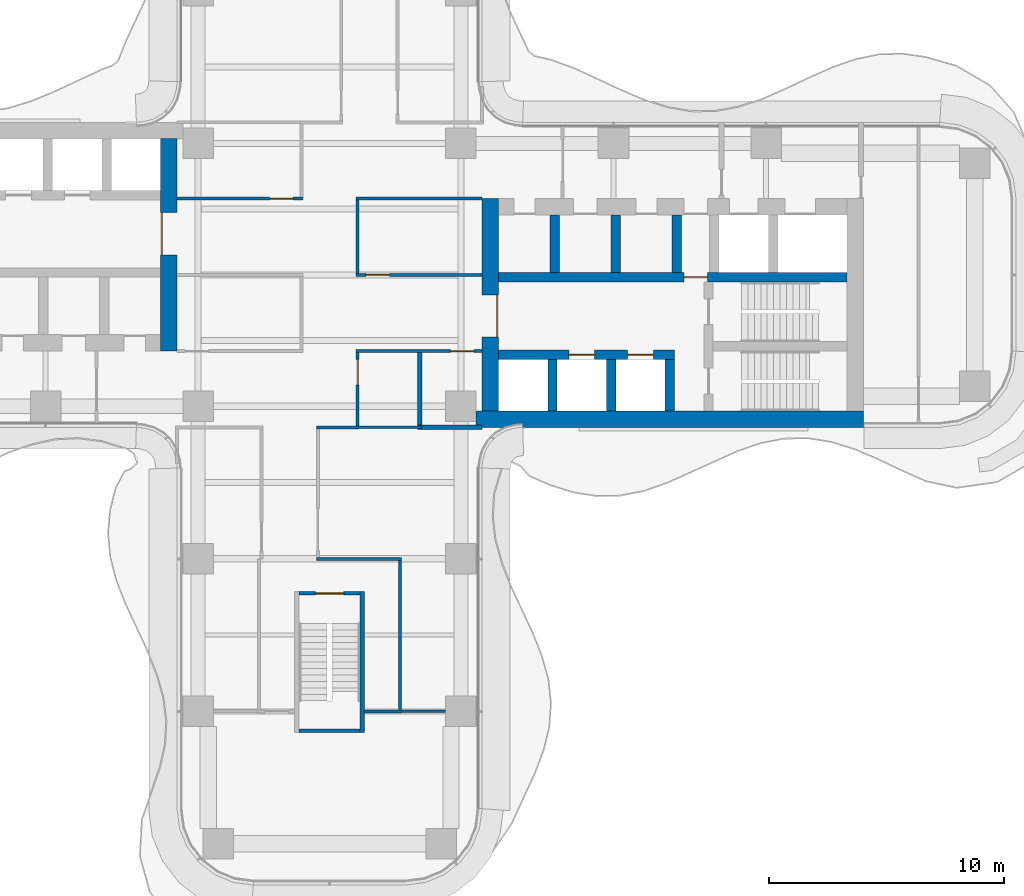
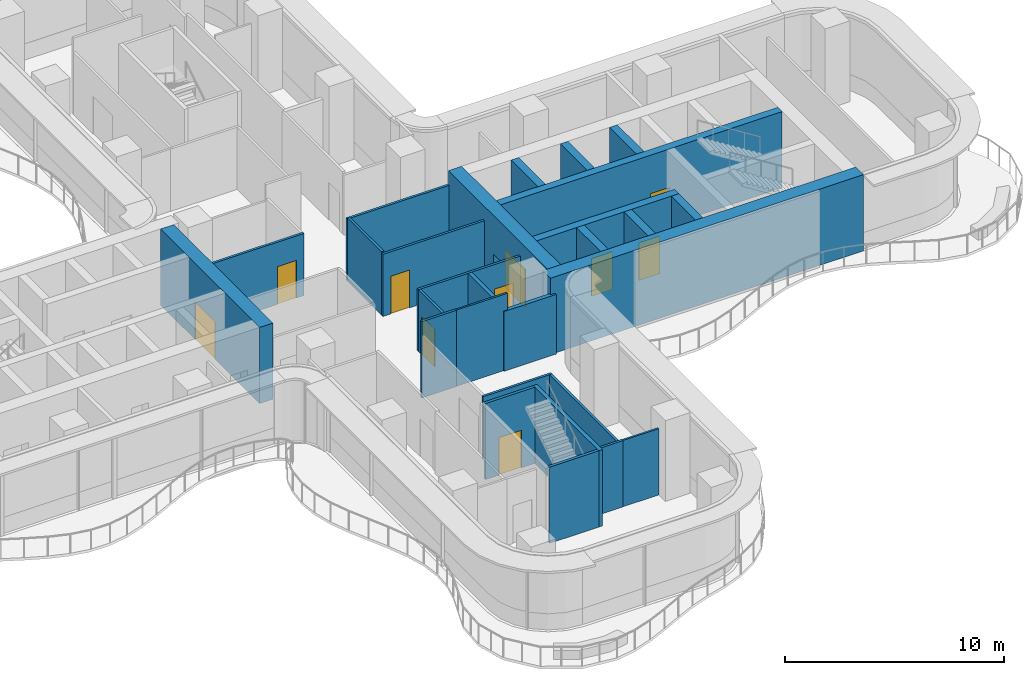
# One storey, part 16 of 20: 28 walls, 10 doors, 10 openings.
"""IFC4 building model written with IfcOpenShell, lengths in metres."""

import ifcopenshell
import ifcopenshell.guid

model = None  # the IFC model being written
_history = None  # IfcOwnerHistory: only IFC2X3 demands one
_inside = {}  # id of a spatial element -> (the spatial element, [elements in it])
_under = {}  # id of a project, library or spatial element -> (it, [spatial elements below it])
_declared = {}  # id of a project -> (the project, [libraries it declares])
_typed = {}  # id of a type object -> (the type object, [elements of that type])
_made_of = {}  # id of a material, layer set ... -> (it, [elements and type objects made of it])


def new_model(schema):
    """Start an empty IFC model of exactly this schema.

    Asked for "IFC4X3", IfcOpenShell would pick the latest addendum, in which some entities
    have other attributes; the version numbers below select the first issue.
    IFC2X3 requires an IfcOwnerHistory on every rooted entity: one is made here for all.
    """
    global model, _history
    if schema == "IFC4X3":
        model = ifcopenshell.file(schema_version=(4, 3, 0, 0))
    else:
        model = ifcopenshell.file(schema=schema)
    _inside.clear()
    _under.clear()
    _declared.clear()
    _typed.clear()
    _made_of.clear()
    _history = None
    if model.schema == "IFC2X3":
        org = make("IfcOrganization", Name="unknown")
        user = make(
            "IfcPersonAndOrganization",
            ThePerson=make("IfcPerson", FamilyName="unknown"),
            TheOrganization=org,
        )
        app = make(
            "IfcApplication",
            ApplicationDeveloper=org,
            Version="unknown",
            ApplicationFullName="unknown",
            ApplicationIdentifier="unknown",
        )
        _history = make(
            "IfcOwnerHistory",
            OwningUser=user,
            OwningApplication=app,
            ChangeAction="ADDED",
            CreationDate=0,
        )
    return model


def make(cls, **values):
    """One entity of the class cls with the attributes given. An attribute that is None is left unset."""
    return model.create_entity(
        cls, **{name: value for name, value in values.items() if value is not None}
    )


def rooted(cls, **values):
    """An entity with a GlobalId (a new one), such as an element, a storey or a relation."""
    return make(cls, GlobalId=ifcopenshell.guid.new(), OwnerHistory=_history, **values)


def si_unit(unit_type, name, prefix=None):
    """IfcSIUnit, for example si_unit("LENGTHUNIT", "METRE", prefix="MILLI")."""
    return make("IfcSIUnit", UnitType=unit_type, Prefix=prefix, Name=name)


def assignment(units):
    """IfcUnitAssignment: the units of a project."""
    return None if units is None else make("IfcUnitAssignment", Units=units)


def point(xyz):
    """IfcCartesianPoint."""
    return None if xyz is None else make("IfcCartesianPoint", Coordinates=xyz)


def direction(xyz):
    """IfcDirection."""
    return None if xyz is None else make("IfcDirection", DirectionRatios=xyz)


def frame(location, z_axis=None, x_axis=None):
    """IfcAxis2Placement3D, a coordinate frame: its origin and axes. An axis left out is left unset."""
    return make(
        "IfcAxis2Placement3D",
        Location=point(location),
        Axis=direction(z_axis),
        RefDirection=direction(x_axis),
    )


def frame_2d(location, x_axis=None):
    """IfcAxis2Placement2D, a coordinate frame in the plane: its origin and x axis."""
    return make(
        "IfcAxis2Placement2D", Location=point(location), RefDirection=direction(x_axis)
    )


def origin():
    """The frame at (0, 0, 0) with its axes left unset."""
    return frame((0.0, 0.0, 0.0))


def place(relative_to, where):
    """IfcLocalPlacement: puts the frame where relative to a parent placement (None: the world)."""
    return make(
        "IfcLocalPlacement", PlacementRelTo=relative_to, RelativePlacement=where
    )


def context(
    kind, dimensions, precision=None, world=None, true_north=None, identifier=None
):
    """IfcGeometricRepresentationContext, for example the 3D "Model" context."""
    return make(
        "IfcGeometricRepresentationContext",
        ContextIdentifier=identifier,
        ContextType=kind,
        CoordinateSpaceDimension=dimensions,
        Precision=precision,
        WorldCoordinateSystem=world,
        TrueNorth=true_north,
    )


def subcontext(parent, identifier, kind, view, scale=None):
    """IfcGeometricRepresentationSubContext, for example "Body" below "Model"."""
    return make(
        "IfcGeometricRepresentationSubContext",
        ContextIdentifier=identifier,
        ContextType=kind,
        ParentContext=parent,
        TargetScale=scale,
        TargetView=view,
    )


def project(units=None, contexts=None):
    """IfcProject with its units and contexts."""
    return rooted(
        "IfcProject",
        Name="project",
        RepresentationContexts=contexts,
        UnitsInContext=assignment(units),
    )


def spatial(cls, under=None, at=None, **own):
    """A site, building, storey or space (cls), placed at a placement, below another one or the project."""
    s = rooted(cls, ObjectPlacement=at, **own)
    if under is not None:
        _under.setdefault(under.id(), (under, []))[1].append(s)
    return s


def profile(cls, at=None, kind="AREA", **sizes):
    """A parametric profile (cls). Its sizes go by their IFC names, for example OverallWidth=200.0."""
    return make(cls, ProfileType=kind, Position=at, **sizes)


def rectangle(**sizes):
    """IfcRectangleProfileDef."""
    return profile("IfcRectangleProfileDef", **sizes)


def extrude(swept, where, along, depth):
    """IfcExtrudedAreaSolid: the profile swept, set in the frame where, extruded along a direction by depth."""
    return make(
        "IfcExtrudedAreaSolid",
        SweptArea=swept,
        Position=where,
        ExtrudedDirection=direction(along),
        Depth=depth,
    )


def shape(context_of_items, identifier, shape_type, items):
    """IfcShapeRepresentation: the items that make up one representation, for example the "Body"."""
    return make(
        "IfcShapeRepresentation",
        ContextOfItems=context_of_items,
        RepresentationIdentifier=identifier,
        RepresentationType=shape_type,
        Items=items,
    )


def source(mapping_origin, context_of_items, identifier, shape_type, items):
    """IfcRepresentationMap: a shape defined once, which mapped items show again and again."""
    return make(
        "IfcRepresentationMap",
        MappingOrigin=mapping_origin,
        MappedRepresentation=shape(context_of_items, identifier, shape_type, items),
    )


def transform(
    local_origin,
    x_axis=None,
    y_axis=None,
    z_axis=None,
    scale=None,
    scale2=None,
    scale3=None,
    uniform=True,
):
    """IfcCartesianTransformationOperator3D, or its non-uniform kind. x_axis, y_axis, z_axis: its Axis1, 2, 3."""
    if uniform:
        return make(
            "IfcCartesianTransformationOperator3D",
            Axis1=direction(x_axis),
            Axis2=direction(y_axis),
            LocalOrigin=point(local_origin),
            Scale=scale,
            Axis3=direction(z_axis),
        )
    return make(
        "IfcCartesianTransformationOperator3DnonUniform",
        Axis1=direction(x_axis),
        Axis2=direction(y_axis),
        LocalOrigin=point(local_origin),
        Scale=scale,
        Axis3=direction(z_axis),
        Scale2=scale2,
        Scale3=scale3,
    )


def mapped(mapping_source, mapping_target):
    """IfcMappedItem: shows the shape of a source again, moved by a transform."""
    return make(
        "IfcMappedItem", MappingSource=mapping_source, MappingTarget=mapping_target
    )


def material(Name=None, Category=None):
    """IfcMaterial."""
    return make("IfcMaterial", Name=Name, Category=Category)


def layer(
    of_material, thickness, ventilated=None, Name=None, Category=None, Priority=None
):
    """IfcMaterialLayer: one layer of a wall or slab, of a material (None: an air gap)."""
    return make(
        "IfcMaterialLayer",
        Material=of_material,
        LayerThickness=thickness,
        IsVentilated=ventilated,
        Name=Name,
        Category=Category,
        Priority=Priority,
    )


def layer_set(layers, Name=None):
    """IfcMaterialLayerSet."""
    return make("IfcMaterialLayerSet", MaterialLayers=layers, LayerSetName=Name)


def made_of(thing, what):
    """Note that an element or type object is made of a material, layer set ...; save() writes the relation."""
    if what is not None:
        _made_of.setdefault(what.id(), (what, []))[1].append(thing)
    return thing


def type_object(cls, material=None, **own):
    """A type object (cls), such as IfcWallType, which elements share."""
    return made_of(rooted(cls, **own), material)


def element(
    cls,
    number,
    at=None,
    inside=None,
    cuts=None,
    type_object=None,
    material=None,
    context=None,
    identifier="Body",
    shape_type=None,
    held_by="IfcProductDefinitionShape",
    body=None,
    shapes=None,
    **own,
):
    """One element of the class cls, such as IfcWall. Its Tag is "e" and its number.

    at: its placement. inside: the storey or other place that contains it. cuts: it is an
    opening in that element (IfcRelVoidsElement). A single representation is given by context,
    identifier, shape_type and body (its items); several are given by shapes. held_by: the class
    of the entity that holds the representations. save() writes the other relations.
    """
    e = rooted(cls, Tag="e%d" % number, ObjectPlacement=at, **own)
    if body is not None:
        shapes = [shape(context, identifier, shape_type, body)]
    if shapes is not None:
        e.Representation = make(held_by, Representations=shapes)
    if inside is not None:
        _inside.setdefault(inside.id(), (inside, []))[1].append(e)
    if cuts is not None:
        rooted(
            "IfcRelVoidsElement", RelatingBuildingElement=cuts, RelatedOpeningElement=e
        )
    if type_object is not None:
        _typed.setdefault(type_object.id(), (type_object, []))[1].append(e)
    return made_of(e, material)


def fill(opening, filler):
    """IfcRelFillsElement: the door or window that sits in an opening."""
    return rooted(
        "IfcRelFillsElement",
        RelatingOpeningElement=opening,
        RelatedBuildingElement=filler,
    )


def aggregate(whole, parts):
    """IfcRelAggregates: a whole, such as a stair, and the parts it consists of."""
    return rooted("IfcRelAggregates", RelatingObject=whole, RelatedObjects=parts)


def save(model, path):
    """Write the relations noted so far, then the file.

    IfcRelAggregates (storeys below a building ...), IfcRelContainedInSpatialStructure (elements
    in a storey), IfcRelDefinesByType, IfcRelAssociatesMaterial and IfcRelDeclares: one each for
    every whole, place, type object, material and project.
    """
    for whole, parts in _under.values():
        aggregate(whole, parts)
    for where, things in _inside.values():
        rooted(
            "IfcRelContainedInSpatialStructure",
            RelatedElements=things,
            RelatingStructure=where,
        )
    for kind, things in _typed.values():
        rooted("IfcRelDefinesByType", RelatedObjects=things, RelatingType=kind)
    for what, things in _made_of.values():
        rooted("IfcRelAssociatesMaterial", RelatedObjects=things, RelatingMaterial=what)
    for by, libraries in _declared.values():
        rooted("IfcRelDeclares", RelatingContext=by, RelatedDefinitions=libraries)
    model.write(path)


model = new_model("IFC4")

# Units and contexts
model_context = context("Model", 3, precision=1e-05, world=origin(), true_north=direction((0.0, 1.0)))
body_context = subcontext(model_context, "Body", "Model", "MODEL_VIEW")
ifc_project = project(units=[si_unit("LENGTHUNIT", "METRE"), si_unit("AREAUNIT", "SQUARE_METRE"), si_unit("VOLUMEUNIT", "CUBIC_METRE"), si_unit("PLANEANGLEUNIT", "RADIAN"), si_unit("MASSUNIT", "GRAM", prefix="KILO")], contexts=[model_context])

# Site, building, storey
site_placement = place(None, origin())
site = spatial("IfcSite", under=ifc_project, at=site_placement, CompositionType="ELEMENT")
building_placement = place(site_placement, origin())
building = spatial("IfcBuilding", under=site, at=building_placement, Name="Trellis Farm Tower", CompositionType="ELEMENT")
storey_placement = place(building_placement, frame((0.0, 0.0, 129.0)))
storey = spatial("IfcBuildingStorey", under=building, at=storey_placement, Name="L27", CompositionType="ELEMENT", Elevation=129.0)

# Wall, opening, door
ifc_material_1 = material(Name="Concrete C70/85", Category="concrete")
ifc_layer_1 = layer(ifc_material_1, 0.699951171875)
ifc_layer_set_1 = layer_set([ifc_layer_1], Name="CORE OUTER WALL 700 CONCRETE C70/85")
wall_type_1 = type_object("IfcWallType", Name="CORE OUTER WALL 700 CONCRETE C70/85", PredefinedType="SHEAR", material=ifc_layer_set_1)
shared_shape_1 = source(origin(), body_context, "Body", "SweptSolid", [
    extrude(rectangle(XDim=9.050048828125, YDim=0.699951171875, at=frame_2d((4.52490234375, 0.0))), origin(), (0.0, 0.0, 1.0), 4.25),
])
wall_1_placement = place(storey_placement, frame((6.85009765625, -5.800048828125, 0.0), z_axis=(0.0, 0.0, 1.0), x_axis=(0.0, 1.0, 0.0)))
wall_1 = element("IfcWall", 1, at=wall_1_placement, inside=storey, type_object=wall_type_1, Name="Core wall", PredefinedType="SHEAR", context=body_context, shape_type="MappedRepresentation", body=[
    mapped(shared_shape_1, transform((0.0, 0.0, 0.0))),
])
shared_shape_2 = source(origin(), body_context, "Body", "SweptSolid", [
    extrude(rectangle(XDim=1.800048828125, YDim=2.10009765625, at=frame_2d((0.89990234375, 1.050048828125))), frame((0.0, 0.360107421875, 0.0), z_axis=(0.0, -1.0, 0.0), x_axis=(1.0, 0.0, 0.0)), (0.0, 0.0, 1.0), 0.72021484375),
])
opening_1_placement = place(wall_1_placement, frame((3.14990234375, 0.0, 0.0)))
opening_1 = element("IfcOpeningElement", 2, at=opening_1_placement, cuts=wall_1, Name="Opening DC1", PredefinedType="OPENING", context=body_context, shape_type="MappedRepresentation", body=[
    mapped(shared_shape_2, transform((0.0, 0.0, 0.0))),
])
ifc_material_2 = material(Name="Steel", Category="steel")
door_type_1 = type_object("IfcDoorType", Name="CORE FIRE DOOR DOUBLE 1800 X 2100", OperationType="DOUBLE_DOOR_SINGLE_SWING", PredefinedType="DOOR", material=ifc_material_2)
shared_shape_3 = source(origin(), body_context, "Body", "SweptSolid", [
    extrude(rectangle(XDim=1.800048828125, YDim=2.10009765625, at=frame_2d((0.89990234375, 1.050048828125))), frame((0.0, -0.27490234375, 0.0), z_axis=(0.0, -1.0, 0.0), x_axis=(1.0, 0.0, 0.0)), (0.0, 0.0, 1.0), 0.050048828125),
])
door_1_placement = place(opening_1_placement, origin())
door_1 = element("IfcDoor", 3, at=door_1_placement, inside=storey, type_object=door_type_1, Name="Core door", OperationType="DOUBLE_DOOR_SINGLE_SWING", OverallHeight=2.10009765625, OverallWidth=1.800048828125, PredefinedType="DOOR", context=body_context, shape_type="MappedRepresentation", body=[
    mapped(shared_shape_3, transform((0.0, 0.0, 0.0))),
])
fill(opening_1, door_1)

wall_2_placement = place(storey_placement, frame((-6.85009765625, 5.800048828125, 0.0), z_axis=(0.0, 0.0, 1.0), x_axis=(0.0, -1.0, 0.0)))
wall_2 = element("IfcWall", 4, at=wall_2_placement, inside=storey, type_object=wall_type_1, Name="Core wall", PredefinedType="SHEAR", context=body_context, shape_type="MappedRepresentation", body=[
    mapped(shared_shape_1, transform((0.0, 0.0, 0.0))),
])
opening_2_placement = place(wall_2_placement, frame((3.14990234375, 0.0, 0.0)))
opening_2 = element("IfcOpeningElement", 5, at=opening_2_placement, cuts=wall_2, Name="Opening DC87", PredefinedType="OPENING", context=body_context, shape_type="MappedRepresentation", body=[
    mapped(shared_shape_2, transform((0.0, 0.0, 0.0))),
])
door_2_placement = place(opening_2_placement, origin())
door_2 = element("IfcDoor", 6, at=door_2_placement, inside=storey, type_object=door_type_1, Name="Core door", OperationType="DOUBLE_DOOR_SINGLE_SWING", OverallHeight=2.10009765625, OverallWidth=1.800048828125, PredefinedType="DOOR", context=body_context, shape_type="MappedRepresentation", body=[
    mapped(shared_shape_3, transform((0.0, 0.0, 0.0))),
])
fill(opening_2, door_2)

# Walls
ifc_layer_2 = layer(ifc_material_1, 0.39990234375)
ifc_layer_set_2 = layer_set([ifc_layer_2], Name="CORE INNER WALL 400 CONCRETE C70/85")
wall_type_2 = type_object("IfcWallType", Name="CORE INNER WALL 400 CONCRETE C70/85", PredefinedType="SHEAR", material=ifc_layer_set_2)
shared_shape_4 = source(origin(), body_context, "Body", "SweptSolid", [
    extrude(rectangle(XDim=2.199951171875, YDim=0.39990234375, at=frame_2d((1.10009765625, 0.0))), origin(), (0.0, 0.0, 1.0), 4.25),
])
for number, where, z_axis, x_axis, name in (
    (7, (9.5, -5.800048828125, 0.0), (0.0, 0.0, 1.0), (0.0, 1.0, 0.0), "Core wall"),
    (8, (12.0, -5.800048828125, 0.0), (0.0, 0.0, 1.0), (0.0, 1.0, 0.0), "Core wall"),
    (9, (14.5, -5.800048828125, 0.0), (0.0, 0.0, 1.0), (0.0, 1.0, 0.0), "Core wall"),
):
    element("IfcWall", number, at=place(storey_placement, frame(where, z_axis=z_axis, x_axis=x_axis)), inside=storey, type_object=wall_type_2, Name=name, PredefinedType="SHEAR", context=body_context, shape_type="MappedRepresentation", body=[
        mapped(shared_shape_4, transform((0.0, 0.0, 0.0))),
    ])
shared_shape_5 = source(origin(), body_context, "Body", "SweptSolid", [
    extrude(rectangle(XDim=2.449951171875, YDim=0.39990234375, at=frame_2d((1.22509765625, 0.0))), origin(), (0.0, 0.0, 1.0), 4.25),
])
for number, where, z_axis, x_axis, name in (
    (10, (9.60009765625, 0.10009765625, 0.0), (0.0, 0.0, 1.0), (0.0, 1.0, 0.0), "Core wall"),
    (11, (12.199951171875, 0.10009765625, 0.0), (0.0, 0.0, 1.0), (0.0, 1.0, 0.0), "Core wall"),
    (12, (14.800048828125, 0.10009765625, 0.0), (0.0, 0.0, 1.0), (0.0, 1.0, 0.0), "Core wall"),
):
    element("IfcWall", number, at=place(storey_placement, frame(where, z_axis=z_axis, x_axis=x_axis)), inside=storey, type_object=wall_type_2, Name=name, PredefinedType="SHEAR", context=body_context, shape_type="MappedRepresentation", body=[
        mapped(shared_shape_5, transform((0.0, 0.0, 0.0))),
    ])

# Wall, openings, doors
shared_shape_6 = source(origin(), body_context, "Body", "SweptSolid", [
    extrude(rectangle(XDim=7.5, YDim=0.39990234375, at=frame_2d((3.75, 0.0))), origin(), (0.0, 0.0, 1.0), 4.25),
])
wall_3_placement = place(storey_placement, frame((7.199951171875, -3.39990234375, 0.0), z_axis=(0.0, 0.0, 1.0), x_axis=(1.0, 0.0, 0.0)))
wall_3 = element("IfcWall", 13, at=wall_3_placement, inside=storey, type_object=wall_type_2, Name="Core wall", PredefinedType="SHEAR", context=body_context, shape_type="MappedRepresentation", body=[
    mapped(shared_shape_6, transform((0.0, 0.0, 0.0))),
])
shared_shape_7 = source(origin(), body_context, "Body", "SweptSolid", [
    extrude(rectangle(XDim=1.10009765625, YDim=2.10009765625, at=frame_2d((0.550048828125, 1.050048828125))), frame((0.0, 0.2099609375, 0.0), z_axis=(0.0, -1.0, 0.0), x_axis=(1.0, 0.0, 0.0)), (0.0, 0.0, 1.0), 0.419921875),
])
opening_3_placement = place(wall_3_placement, frame((3.0, 0.0, 0.0)))
opening_3 = element("IfcOpeningElement", 14, at=opening_3_placement, cuts=wall_3, Name="Opening LD2", PredefinedType="OPENING", context=body_context, shape_type="MappedRepresentation", body=[
    mapped(shared_shape_7, transform((0.0, 0.0, 0.0))),
])
opening_4_placement = place(wall_3_placement, frame((5.5, 0.0, 0.0)))
opening_4 = element("IfcOpeningElement", 15, at=opening_4_placement, cuts=wall_3, Name="Opening LD3", PredefinedType="OPENING", context=body_context, shape_type="MappedRepresentation", body=[
    mapped(shared_shape_7, transform((0.0, 0.0, 0.0))),
])
ifc_material_3 = material(Name="Stainless steel", Category="steel")
door_type_2 = type_object("IfcDoorType", Name="LIFT LANDING DOOR 1100 X 2100", OperationType="DOUBLE_DOOR_SLIDING", PredefinedType="DOOR", material=ifc_material_3)
shared_shape_8 = source(origin(), body_context, "Body", "SweptSolid", [
    extrude(rectangle(XDim=1.10009765625, YDim=2.10009765625, at=frame_2d((0.550048828125, 1.050048828125))), frame((0.0, 0.02490234375, 0.0), z_axis=(0.0, -1.0, 0.0), x_axis=(1.0, 0.0, 0.0)), (0.0, 0.0, 1.0), 0.050048828125),
])
door_3_placement = place(opening_3_placement, origin())
door_3 = element("IfcDoor", 16, at=door_3_placement, inside=storey, type_object=door_type_2, Name="Lift landing door", OperationType="DOUBLE_DOOR_SLIDING", OverallHeight=2.10009765625, OverallWidth=1.10009765625, PredefinedType="DOOR", context=body_context, shape_type="MappedRepresentation", body=[
    mapped(shared_shape_8, transform((0.0, 0.0, 0.0))),
])
fill(opening_3, door_3)
door_4_placement = place(opening_4_placement, origin())
door_4 = element("IfcDoor", 17, at=door_4_placement, inside=storey, type_object=door_type_2, Name="Lift landing door", OperationType="DOUBLE_DOOR_SLIDING", OverallHeight=2.10009765625, OverallWidth=1.10009765625, PredefinedType="DOOR", context=body_context, shape_type="MappedRepresentation", body=[
    mapped(shared_shape_8, transform((0.0, 0.0, 0.0))),
])
fill(opening_4, door_4)

# Wall, opening, door
shared_shape_9 = source(origin(), body_context, "Body", "SweptSolid", [
    extrude(rectangle(XDim=14.85009765625, YDim=0.39990234375, at=frame_2d((7.425048828125, 0.0))), origin(), (0.0, 0.0, 1.0), 4.25),
])
wall_4_placement = place(storey_placement, frame((7.199951171875, -0.10009765625, 0.0), z_axis=(0.0, 0.0, 1.0), x_axis=(1.0, 0.0, 0.0)))
wall_4 = element("IfcWall", 18, at=wall_4_placement, inside=storey, type_object=wall_type_2, Name="Core wall", PredefinedType="SHEAR", context=body_context, shape_type="MappedRepresentation", body=[
    mapped(shared_shape_9, transform((0.0, 0.0, 0.0))),
])
shared_shape_10 = source(origin(), body_context, "Body", "SweptSolid", [
    extrude(rectangle(XDim=1.0, YDim=2.10009765625, at=frame_2d((0.5, 1.050048828125))), frame((0.0, 0.2099609375, 0.0), z_axis=(0.0, -1.0, 0.0), x_axis=(1.0, 0.0, 0.0)), (0.0, 0.0, 1.0), 0.419921875),
])
opening_5_placement = place(wall_4_placement, frame((7.89990234375, 0.0, 0.0)))
opening_5 = element("IfcOpeningElement", 19, at=opening_5_placement, cuts=wall_4, Name="Opening DC5", PredefinedType="OPENING", context=body_context, shape_type="MappedRepresentation", body=[
    mapped(shared_shape_10, transform((0.0, 0.0, 0.0))),
])
door_type_3 = type_object("IfcDoorType", Name="CORE FIRE DOOR 1000 X 2100", OperationType="NOTDEFINED", PredefinedType="DOOR", material=ifc_material_2)
shared_shape_11 = source(origin(), body_context, "Body", "SweptSolid", [
    extrude(rectangle(XDim=1.0, YDim=2.10009765625, at=frame_2d((0.5, 1.050048828125))), frame((0.0, 0.02490234375, 0.0), z_axis=(0.0, -1.0, 0.0), x_axis=(1.0, 0.0, 0.0)), (0.0, 0.0, 1.0), 0.050048828125),
])
door_5_placement = place(opening_5_placement, origin())
door_5 = element("IfcDoor", 20, at=door_5_placement, inside=storey, type_object=door_type_3, Name="Core door", OperationType="SINGLE_SWING_RIGHT", OverallHeight=2.10009765625, OverallWidth=1.0, PredefinedType="DOOR", context=body_context, shape_type="MappedRepresentation", body=[
    mapped(shared_shape_11, transform((0.0, 0.0, 0.0))),
])
fill(opening_5, door_5)

# Walls
shared_shape_12 = source(origin(), body_context, "Body", "SweptSolid", [
    extrude(rectangle(XDim=16.5, YDim=0.699951171875, at=frame_2d((8.25, 0.0))), origin(), (0.0, 0.0, 1.0), 4.25),
])
wall_5_placement = place(storey_placement, frame((6.25, -6.14990234375, 0.0), z_axis=(0.0, 0.0, 1.0), x_axis=(1.0, 0.0, 0.0)))
element("IfcWall", 21, at=wall_5_placement, inside=storey, type_object=wall_type_1, Name="Core wall", PredefinedType="SHEAR", context=body_context, shape_type="MappedRepresentation", body=[
    mapped(shared_shape_12, transform((0.0, 0.0, 0.0))),
])
ifc_layer_3 = layer(ifc_material_1, 0.199951171875)
ifc_layer_set_3 = layer_set([ifc_layer_3], Name="CORE STAIR ENCLOSURE WALL 200 CONCRETE C70/85")
wall_type_3 = type_object("IfcWallType", Name="CORE STAIR ENCLOSURE WALL 200 CONCRETE C70/85", PredefinedType="SHEAR", material=ifc_layer_set_3)
shared_shape_13 = source(origin(), body_context, "Body", "SweptSolid", [
    extrude(rectangle(XDim=6.0, YDim=0.199951171875, at=frame_2d((3.0, 0.0))), origin(), (0.0, 0.0, 1.0), 4.25),
])
wall_6_placement = place(storey_placement, frame((1.39990234375, -13.5, 0.0), z_axis=(0.0, 0.0, 1.0), x_axis=(0.0, -1.0, 0.0)))
element("IfcWall", 22, at=wall_6_placement, inside=storey, type_object=wall_type_3, Name="Stair enclosure wall", PredefinedType="SHEAR", context=body_context, shape_type="MappedRepresentation", body=[
    mapped(shared_shape_13, transform((0.0, 0.0, 0.0))),
])

# Wall, opening, door
ifc_layer_4 = layer(ifc_material_1, 0.14990234375)
ifc_layer_set_4 = layer_set([ifc_layer_4], Name="CORE STAIR ENCLOSURE WALL 150 CONCRETE C70/85")
wall_type_4 = type_object("IfcWallType", Name="CORE STAIR ENCLOSURE WALL 150 CONCRETE C70/85", PredefinedType="SHEAR", material=ifc_layer_set_4)
shared_shape_14 = source(origin(), body_context, "Body", "SweptSolid", [
    extrude(rectangle(XDim=2.60009765625, YDim=0.14990234375, at=frame_2d((1.300048828125, 0.0))), origin(), (0.0, 0.0, 1.0), 4.25),
])
wall_7_placement = place(storey_placement, frame((1.300048828125, -13.574951171875, 0.0), z_axis=(0.0, 0.0, 1.0), x_axis=(-1.0, 0.0, 0.0)))
wall_7 = element("IfcWall", 23, at=wall_7_placement, inside=storey, type_object=wall_type_4, Name="Stair enclosure wall", PredefinedType="SHEAR", context=body_context, shape_type="MappedRepresentation", body=[
    mapped(shared_shape_14, transform((0.0, 0.0, 0.0))),
])
shared_shape_15 = source(origin(), body_context, "Body", "SweptSolid", [
    extrude(rectangle(XDim=1.199951171875, YDim=2.10009765625, at=frame_2d((0.60009765625, 1.050048828125))), frame((0.0, 0.0849609375, 0.0), z_axis=(0.0, -1.0, 0.0), x_axis=(1.0, 0.0, 0.0)), (0.0, 0.0, 1.0), 0.169921875),
])
opening_6_placement = place(wall_7_placement, frame((0.699951171875, 0.0, 0.0)))
opening_6 = element("IfcOpeningElement", 24, at=opening_6_placement, cuts=wall_7, Name="Opening DC174", PredefinedType="OPENING", context=body_context, shape_type="MappedRepresentation", body=[
    mapped(shared_shape_15, transform((0.0, 0.0, 0.0))),
])
door_type_4 = type_object("IfcDoorType", Name="CORE FIRE DOOR 1200 X 2100", OperationType="NOTDEFINED", PredefinedType="DOOR", material=ifc_material_2)
shared_shape_16 = source(origin(), body_context, "Body", "SweptSolid", [
    extrude(rectangle(XDim=1.199951171875, YDim=2.10009765625, at=frame_2d((0.60009765625, 1.050048828125))), frame((0.0, 0.02490234375, 0.0), z_axis=(0.0, -1.0, 0.0), x_axis=(1.0, 0.0, 0.0)), (0.0, 0.0, 1.0), 0.050048828125),
])
door_6_placement = place(opening_6_placement, origin())
door_6 = element("IfcDoor", 25, at=door_6_placement, inside=storey, type_object=door_type_4, Name="Core door", OperationType="SINGLE_SWING_RIGHT", OverallHeight=2.10009765625, OverallWidth=1.199951171875, PredefinedType="DOOR", context=body_context, shape_type="MappedRepresentation", body=[
    mapped(shared_shape_16, transform((0.0, 0.0, 0.0))),
])
fill(opening_6, door_6)

# Walls
wall_8_placement = place(storey_placement, frame((1.300048828125, -19.425048828125, 0.0), z_axis=(0.0, 0.0, 1.0), x_axis=(-1.0, 0.0, 0.0)))
element("IfcWall", 26, at=wall_8_placement, inside=storey, type_object=wall_type_4, Name="Stair enclosure wall", PredefinedType="SHEAR", context=body_context, shape_type="MappedRepresentation", body=[
    mapped(shared_shape_14, transform((0.0, 0.0, 0.0))),
])
ifc_material_4 = material(Name="Plasterboard on steel studs, mineral wool", Category="steel")
ifc_layer_5 = layer(ifc_material_4, 0.125)
ifc_layer_set_5 = layer_set([ifc_layer_5], Name="PARTITION 125 STUD EI 60")
wall_type_5 = type_object("IfcWallType", Name="PARTITION 125 STUD EI 60", PredefinedType="PARTITIONING", material=ifc_layer_set_5)
shared_shape_17 = source(origin(), body_context, "Body", "SweptSolid", [
    extrude(rectangle(XDim=3.125, YDim=0.125, at=frame_2d((1.5625, 0.0))), origin(), (0.0, 0.0, 1.0), 3.54638671875),
])
wall_9_placement = place(storey_placement, frame((1.199951171875, 3.1875, 0.0), z_axis=(0.0, 0.0, 1.0), x_axis=(0.0, -1.0, 0.0)))
element("IfcWall", 27, at=wall_9_placement, inside=storey, type_object=wall_type_5, Name="Partition PW1", PredefinedType="PARTITIONING", context=body_context, shape_type="MappedRepresentation", body=[
    mapped(shared_shape_17, transform((0.0, 0.0, 0.0))),
])

# Wall, opening, door
shared_shape_18 = source(origin(), body_context, "Body", "SweptSolid", [
    extrude(rectangle(XDim=5.362548828125, YDim=0.125, at=frame_2d((2.68115234375, 0.0))), origin(), (0.0, 0.0, 1.0), 3.4677734375),
])
wall_10_placement = place(storey_placement, frame((6.5, -3.25, 0.0), z_axis=(0.0, 0.0, 1.0), x_axis=(-1.0, 0.0, 0.0)))
wall_10 = element("IfcWall", 28, at=wall_10_placement, inside=storey, type_object=wall_type_5, Name="Partition PW1", PredefinedType="PARTITIONING", context=body_context, shape_type="MappedRepresentation", body=[
    mapped(shared_shape_18, transform((0.0, 0.0, 0.0))),
])
shared_shape_19 = source(origin(), body_context, "Body", "SweptSolid", [
    extrude(rectangle(XDim=1.0, YDim=2.10009765625, at=frame_2d((0.5, 1.050048828125))), frame((0.0, 0.072509765625, 0.0), z_axis=(0.0, -1.0, 0.0), x_axis=(1.0, 0.0, 0.0)), (0.0, 0.0, 1.0), 0.14501953125),
])
opening_7_placement = place(wall_10_placement, frame((0.35009765625, 0.0, 0.0)))
opening_7 = element("IfcOpeningElement", 29, at=opening_7_placement, cuts=wall_10, Name="Opening D301", PredefinedType="OPENING", context=body_context, shape_type="MappedRepresentation", body=[
    mapped(shared_shape_19, transform((0.0, 0.0, 0.0))),
])
ifc_material_5 = material(Name="Fire-rated timber door leaf in a hollow metal frame", Category="wood")
door_type_5 = type_object("IfcDoorType", Name="DOOR 1000x2100 FD60", OperationType="NOTDEFINED", PredefinedType="DOOR", material=ifc_material_5)
door_7_placement = place(opening_7_placement, origin())
door_7 = element("IfcDoor", 30, at=door_7_placement, inside=storey, type_object=door_type_5, Name="Door D301", OperationType="SINGLE_SWING_LEFT", OverallHeight=2.10009765625, OverallWidth=1.0, PredefinedType="DOOR", context=body_context, shape_type="MappedRepresentation", body=[
    mapped(shared_shape_11, transform((0.0, 0.0, 0.0))),
])
fill(opening_7, door_7)

wall_11_placement = place(storey_placement, frame((6.5, 0.0, 0.0), z_axis=(0.0, 0.0, 1.0), x_axis=(-1.0, 0.0, 0.0)))
wall_11 = element("IfcWall", 31, at=wall_11_placement, inside=storey, type_object=wall_type_5, Name="Partition PW1", PredefinedType="PARTITIONING", context=body_context, shape_type="MappedRepresentation", body=[
    mapped(shared_shape_18, transform((0.0, 0.0, 0.0))),
])
opening_8_placement = place(wall_11_placement, frame((3.949951171875, 0.0, 0.0)))
opening_8 = element("IfcOpeningElement", 32, at=opening_8_placement, cuts=wall_11, Name="Opening D104", PredefinedType="OPENING", context=body_context, shape_type="MappedRepresentation", body=[
    mapped(shared_shape_19, transform((0.0, 0.0, 0.0))),
])
door_type_6 = type_object("IfcDoorType", Name="DOOR 1000x2100 FD30S", OperationType="NOTDEFINED", PredefinedType="DOOR", material=ifc_material_5)
door_8_placement = place(opening_8_placement, origin())
door_8 = element("IfcDoor", 33, at=door_8_placement, inside=storey, type_object=door_type_6, Name="Door D104", OperationType="SINGLE_SWING_RIGHT", OverallHeight=2.10009765625, OverallWidth=1.0, PredefinedType="DOOR", context=body_context, shape_type="MappedRepresentation", body=[
    mapped(shared_shape_11, transform((0.0, 0.0, 0.0))),
])
fill(opening_8, door_8)

wall_12_placement = place(storey_placement, frame((-6.5, 3.25, 0.0), z_axis=(0.0, 0.0, 1.0), x_axis=(1.0, 0.0, 0.0)))
wall_12 = element("IfcWall", 34, at=wall_12_placement, inside=storey, type_object=wall_type_5, Name="Partition PW1", PredefinedType="PARTITIONING", context=body_context, shape_type="MappedRepresentation", body=[
    mapped(shared_shape_18, transform((0.0, 0.0, 0.0))),
])
opening_9_placement = place(wall_12_placement, frame((3.949951171875, 0.0, 0.0)))
opening_9 = element("IfcOpeningElement", 35, at=opening_9_placement, cuts=wall_12, Name="Opening D105", PredefinedType="OPENING", context=body_context, shape_type="MappedRepresentation", body=[
    mapped(shared_shape_19, transform((0.0, 0.0, 0.0))),
])
door_9_placement = place(opening_9_placement, origin())
door_9 = element("IfcDoor", 36, at=door_9_placement, inside=storey, type_object=door_type_6, Name="Door D105", OperationType="SINGLE_SWING_RIGHT", OverallHeight=2.10009765625, OverallWidth=1.0, PredefinedType="DOOR", context=body_context, shape_type="MappedRepresentation", body=[
    mapped(shared_shape_11, transform((0.0, 0.0, 0.0))),
])
fill(opening_9, door_9)

# Wall
wall_13_placement = place(storey_placement, frame((1.137451171875, 3.25, 0.0), z_axis=(0.0, 0.0, 1.0), x_axis=(1.0, 0.0, 0.0)))
element("IfcWall", 37, at=wall_13_placement, inside=storey, type_object=wall_type_5, Name="Partition PW1", PredefinedType="PARTITIONING", context=body_context, shape_type="MappedRepresentation", body=[
    mapped(shared_shape_18, transform((0.0, 0.0, 0.0))),
])

# Wall, opening, door
shared_shape_20 = source(origin(), body_context, "Body", "SweptSolid", [
    extrude(rectangle(XDim=3.137451171875, YDim=0.125, at=frame_2d((1.56884765625, 0.0))), origin(), (0.0, 0.0, 1.0), 3.4677734375),
])
wall_14_placement = place(storey_placement, frame((1.199951171875, -3.3125, 0.0), z_axis=(0.0, 0.0, 1.0), x_axis=(0.0, -1.0, 0.0)))
wall_14 = element("IfcWall", 38, at=wall_14_placement, inside=storey, type_object=wall_type_5, Name="Partition PW1", PredefinedType="PARTITIONING", context=body_context, shape_type="MappedRepresentation", body=[
    mapped(shared_shape_20, transform((0.0, 0.0, 0.0))),
])
shared_shape_21 = source(origin(), body_context, "Body", "SweptSolid", [
    extrude(rectangle(XDim=1.10009765625, YDim=2.10009765625, at=frame_2d((0.550048828125, 1.050048828125))), frame((0.0, 0.072509765625, 0.0), z_axis=(0.0, -1.0, 0.0), x_axis=(1.0, 0.0, 0.0)), (0.0, 0.0, 1.0), 0.14501953125),
])
opening_10_placement = place(wall_14_placement, frame((0.28759765625, 0.0, 0.0)))
opening_10 = element("IfcOpeningElement", 39, at=opening_10_placement, cuts=wall_14, Name="Opening D501", PredefinedType="OPENING", context=body_context, shape_type="MappedRepresentation", body=[
    mapped(shared_shape_21, transform((0.0, 0.0, 0.0))),
])
door_type_7 = type_object("IfcDoorType", Name="DOOR 1100x2100 FD30S", OperationType="NOTDEFINED", PredefinedType="DOOR", material=ifc_material_5)
door_10_placement = place(opening_10_placement, origin())
door_10 = element("IfcDoor", 40, at=door_10_placement, inside=storey, type_object=door_type_7, Name="Door D501", OperationType="SINGLE_SWING_LEFT", OverallHeight=2.10009765625, OverallWidth=1.10009765625, PredefinedType="DOOR", context=body_context, shape_type="MappedRepresentation", body=[
    mapped(shared_shape_8, transform((0.0, 0.0, 0.0))),
])
fill(opening_10, door_10)

# Walls
shared_shape_22 = source(origin(), body_context, "Body", "SweptSolid", [
    extrude(rectangle(XDim=1.5625, YDim=0.125, at=frame_2d((0.78125, 0.0))), origin(), (0.0, 0.0, 1.0), 3.697021484375),
])
wall_15_placement = place(storey_placement, frame((3.0625, -18.60009765625, 0.0), z_axis=(0.0, 0.0, 1.0), x_axis=(-1.0, 0.0, 0.0)))
element("IfcWall", 41, at=wall_15_placement, inside=storey, type_object=wall_type_5, Name="Partition PW1", PredefinedType="PARTITIONING", context=body_context, shape_type="MappedRepresentation", body=[
    mapped(shared_shape_22, transform((0.0, 0.0, 0.0))),
])
shared_shape_23 = source(origin(), body_context, "Body", "SweptSolid", [
    extrude(rectangle(XDim=6.387451171875, YDim=0.125, at=frame_2d((3.19384765625, 0.0))), origin(), (0.0, 0.0, 1.0), 3.4677734375),
])
wall_16_placement = place(storey_placement, frame((3.0, -12.16259765625, 0.0), z_axis=(0.0, 0.0, 1.0), x_axis=(0.0, -1.0, 0.0)))
element("IfcWall", 42, at=wall_16_placement, inside=storey, type_object=wall_type_5, Name="Partition PW1", PredefinedType="PARTITIONING", context=body_context, shape_type="MappedRepresentation", body=[
    mapped(shared_shape_23, transform((0.0, 0.0, 0.0))),
])
shared_shape_24 = source(origin(), body_context, "Body", "SweptSolid", [
    extrude(rectangle(XDim=1.824951171875, YDim=0.125, at=frame_2d((0.91259765625, 0.0))), origin(), (0.0, 0.0, 1.0), 4.25),
])
wall_17_placement = place(storey_placement, frame((1.262451171875, -6.5, 0.0), z_axis=(0.0, 0.0, 1.0), x_axis=(-1.0, 0.0, 0.0)))
element("IfcWall", 43, at=wall_17_placement, inside=storey, type_object=wall_type_5, Name="Partition PW1", PredefinedType="PARTITIONING", context=body_context, shape_type="MappedRepresentation", body=[
    mapped(shared_shape_24, transform((0.0, 0.0, 0.0))),
])
shared_shape_25 = source(origin(), body_context, "Body", "SweptSolid", [
    extrude(rectangle(XDim=3.625, YDim=0.125, at=frame_2d((1.8125, 0.0))), origin(), (0.0, 0.0, 1.0), 3.4677734375),
])
wall_18_placement = place(storey_placement, frame((-0.5625, -12.10009765625, 0.0), z_axis=(0.0, 0.0, 1.0), x_axis=(1.0, 0.0, 0.0)))
element("IfcWall", 44, at=wall_18_placement, inside=storey, type_object=wall_type_5, Name="Partition PW1", PredefinedType="PARTITIONING", context=body_context, shape_type="MappedRepresentation", body=[
    mapped(shared_shape_25, transform((0.0, 0.0, 0.0))),
])
ifc_material_6 = material(Name="Plasterboard on steel studs", Category="steel")
ifc_layer_6 = layer(ifc_material_6, 0.10009765625)
ifc_layer_set_6 = layer_set([ifc_layer_6], Name="PARTITION 100 STUD EI 30")
wall_type_6 = type_object("IfcWallType", Name="PARTITION 100 STUD EI 30", PredefinedType="PARTITIONING", material=ifc_layer_set_6)
shared_shape_26 = source(origin(), body_context, "Body", "SweptSolid", [
    extrude(rectangle(XDim=2.012451171875, YDim=0.10009765625, at=frame_2d((1.00634765625, 0.0))), origin(), (0.0, 0.0, 1.0), 3.697021484375),
])
wall_19_placement = place(storey_placement, frame((2.9375, -18.60009765625, 0.0), z_axis=(0.0, 0.0, 1.0), x_axis=(1.0, 0.0, 0.0)))
element("IfcWall", 45, at=wall_19_placement, inside=storey, type_object=wall_type_6, Name="Partition PW2", PredefinedType="PARTITIONING", context=body_context, shape_type="MappedRepresentation", body=[
    mapped(shared_shape_26, transform((0.0, 0.0, 0.0))),
])
ifc_material_7 = material(Name="Lightweight blockwork, plastered", Category="masonry")
ifc_layer_7 = layer(ifc_material_7, 0.199951171875)
ifc_layer_set_7 = layer_set([ifc_layer_7], Name="BLOCK WALL 200 EI 120")
wall_type_7 = type_object("IfcWallType", Name="BLOCK WALL 200 EI 120", PredefinedType="PARTITIONING", material=ifc_layer_set_7)
shared_shape_27 = source(origin(), body_context, "Body", "SweptSolid", [
    extrude(rectangle(XDim=3.08740234375, YDim=0.199951171875, at=frame_2d((1.543701171875, 0.0))), origin(), (0.0, 0.0, 1.0), 3.4677734375),
])
wall_20_placement = place(storey_placement, frame((3.85009765625, -6.39990234375, 0.0), z_axis=(0.0, 0.0, 1.0), x_axis=(0.0, 1.0, 0.0)))
element("IfcWall", 46, at=wall_20_placement, inside=storey, type_object=wall_type_7, Name="Partition PW3", PredefinedType="PARTITIONING", context=body_context, shape_type="MappedRepresentation", body=[
    mapped(shared_shape_27, transform((0.0, 0.0, 0.0))),
])
shared_shape_28 = source(origin(), body_context, "Body", "SweptSolid", [
    extrude(rectangle(XDim=2.75, YDim=0.199951171875, at=frame_2d((1.375, 0.0))), origin(), (0.0, 0.0, 1.0), 3.330078125),
])
wall_21_placement = place(storey_placement, frame((3.75, -6.5, 0.0), z_axis=(0.0, 0.0, 1.0), x_axis=(1.0, 0.0, 0.0)))
element("IfcWall", 47, at=wall_21_placement, inside=storey, type_object=wall_type_7, Name="Partition PW3", PredefinedType="PARTITIONING", context=body_context, shape_type="MappedRepresentation", body=[
    mapped(shared_shape_28, transform((0.0, 0.0, 0.0))),
])
shared_shape_29 = source(origin(), body_context, "Body", "SweptSolid", [
    extrude(rectangle(XDim=2.8125, YDim=0.10009765625, at=frame_2d((1.40625, 0.0))), origin(), (0.0, 0.0, 1.0), 4.25),
])
wall_22_placement = place(storey_placement, frame((1.137451171875, -6.5, 0.0), z_axis=(0.0, 0.0, 1.0), x_axis=(1.0, 0.0, 0.0)))
element("IfcWall", 48, at=wall_22_placement, inside=storey, type_object=wall_type_6, Name="Partition PW2", PredefinedType="PARTITIONING", context=body_context, shape_type="MappedRepresentation", body=[
    mapped(shared_shape_29, transform((0.0, 0.0, 0.0))),
])

save(model, "model.ifc")
